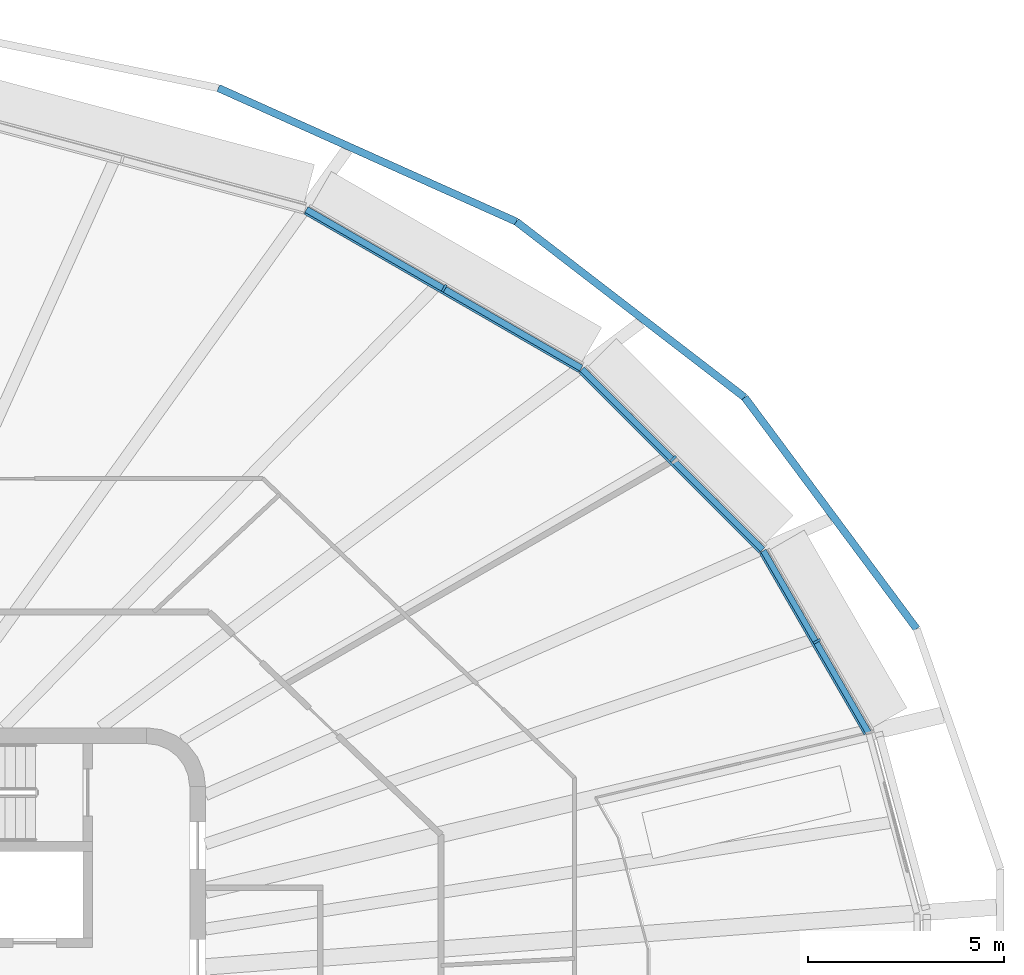
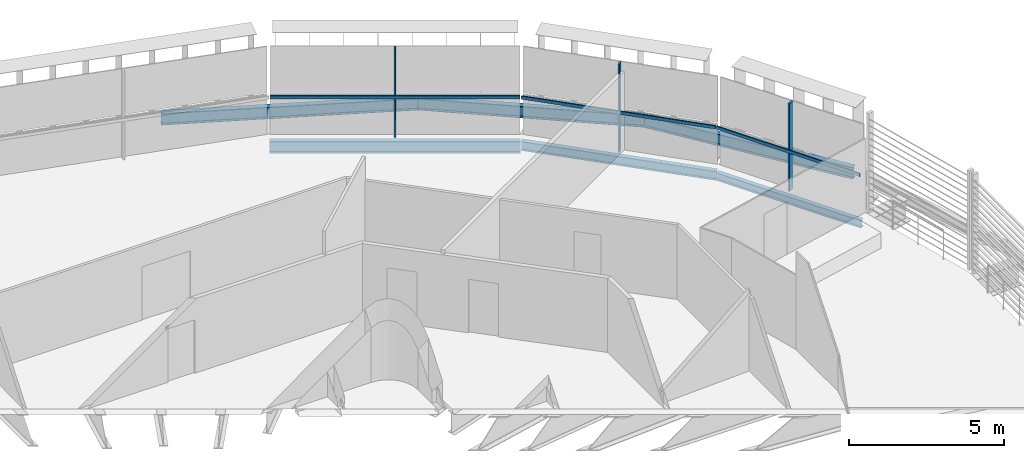
# One storey, part 7 of 21: 6 beams, 6 members, 3 elements without a shape of their own.
"""IFC4 building model written with IfcOpenShell, lengths in metres."""

from ifc_helpers import new_model, si_unit, direction, frame, origin, origin_2d, place, context, subcontext, project, spatial, rectangle, i_section, extrude, material, layer, layer_set, material_profile, profile_set, type_object, element, aggregate, save


model = new_model("IFC4")

# Units and contexts
model_context = context("Model", 3, precision=1e-05, world=origin(), true_north=direction((0.0, 1.0)))
body_context = subcontext(model_context, "Body", "Model", "MODEL_VIEW")
ifc_project = project(units=[si_unit("LENGTHUNIT", "METRE"), si_unit("AREAUNIT", "SQUARE_METRE"), si_unit("VOLUMEUNIT", "CUBIC_METRE"), si_unit("PLANEANGLEUNIT", "RADIAN"), si_unit("MASSUNIT", "GRAM", prefix="KILO")], contexts=[model_context])

# Site, building, storey
site_placement = place(None, origin())
site = spatial("IfcSite", under=ifc_project, at=site_placement, CompositionType="ELEMENT")
building_placement = place(site_placement, origin())
building = spatial("IfcBuilding", under=site, at=building_placement, Name="Sahrelin Media Tower", CompositionType="ELEMENT")
storey_placement = place(building_placement, frame((0.0, 0.0, 259.0)))
storey = spatial("IfcBuildingStorey", under=building, at=storey_placement, Name="L56", CompositionType="ELEMENT", Elevation=259.0)

# Beams
ifc_material_1 = material(Name="Steel S355", Category="steel")
ifc_material_profile_1 = material_profile(ifc_material_1, i_section(OverallWidth=0.1650390625, OverallDepth=0.303466796875, WebThickness=0.006103515625, FlangeThickness=0.01025390625, FilletRadius=0.0087890625, at=origin_2d()), Name="UB 305x165x40")
ifc_profile_set_1 = profile_set([ifc_material_profile_1], Name="Steel S355")
beam_type_1 = type_object("IfcBeamType", Name="Edge beam EB2", PredefinedType="BEAM", material=ifc_profile_set_1)
beam_1_placement = place(storey_placement, frame((26.208984375, 11.508544921875, -0.351806640625), z_axis=(0.500021961316, -0.866012724042, 0.0), x_axis=(0.866012724042, 0.500021961316, 0.0)))
element("IfcBeam", 1, at=beam_1_placement, inside=storey, type_object=beam_type_1, Name="Edge beam L56-23", PredefinedType="BEAM", context=body_context, shape_type="SweptSolid", body=[
    extrude(i_section(OverallWidth=0.1650390625, OverallDepth=0.303466796875, WebThickness=0.006103515625, FlangeThickness=0.01025390625, FilletRadius=0.0087890625, at=origin_2d()), origin(), (0.0, 0.0, 1.0), 5.362548828125),
])
ifc_material_profile_2 = material_profile(ifc_material_1, i_section(OverallWidth=0.17138671875, OverallDepth=0.35498046875, WebThickness=0.00732421875, FlangeThickness=0.011474609375, FilletRadius=0.01025390625, at=origin_2d()), Name="UB 356x171x51")
ifc_profile_set_2 = profile_set([ifc_material_profile_2], Name="Steel S355")
beam_type_2 = type_object("IfcBeamType", Name="Edge beam EB3", PredefinedType="BEAM", material=ifc_profile_set_2)
beam_2_placement = place(storey_placement, frame((21.59130859375, 16.131591796875, -0.327392578125), z_axis=(0.707106781187, -0.707106781187, 0.0), x_axis=(0.707106781187, 0.707106781187, 0.0)))
element("IfcBeam", 2, at=beam_2_placement, inside=storey, type_object=beam_type_2, Name="Edge beam L56-22", PredefinedType="BEAM", context=body_context, shape_type="SweptSolid", body=[
    extrude(i_section(OverallWidth=0.17138671875, OverallDepth=0.35498046875, WebThickness=0.00732421875, FlangeThickness=0.011474609375, FilletRadius=0.01025390625, at=origin_2d()), origin(), (0.0, 0.0, 1.0), 6.505615234375),
])
ifc_material_profile_3 = material_profile(ifc_material_1, i_section(OverallWidth=0.1904296875, OverallDepth=0.45703125, WebThickness=0.009033203125, FlangeThickness=0.014404296875, FilletRadius=0.01025390625, at=origin_2d()), Name="UB 457x191x74")
ifc_profile_set_3 = profile_set([ifc_material_profile_3], Name="Steel S355")
beam_type_3 = type_object("IfcBeamType", Name="Edge beam EB5", PredefinedType="BEAM", material=ifc_profile_set_3)
beam_3_placement = place(storey_placement, frame((14.565673828125, 20.1923828125, -0.37841796875), z_axis=(0.866014130978, -0.500019524566, 0.0), x_axis=(0.500019524566, 0.866014130978, 0.0)))
element("IfcBeam", 3, at=beam_3_placement, inside=storey, type_object=beam_type_3, Name="Edge beam L56-21", PredefinedType="BEAM", context=body_context, shape_type="SweptSolid", body=[
    extrude(i_section(OverallWidth=0.1904296875, OverallDepth=0.45703125, WebThickness=0.009033203125, FlangeThickness=0.014404296875, FilletRadius=0.01025390625, at=origin_2d()), origin(), (0.0, 0.0, 1.0), 8.086181640625),
])

# Curtain wall, member
ifc_material_2 = material(Name="Champagne anodised aluminium 6063-T6", Category="aluminium")
ifc_layer = layer(ifc_material_2, 0.14990234375)
ifc_layer_set = layer_set([ifc_layer], Name="Tower ribbon curtain wall")
curtain_wall_type = type_object("IfcCurtainWallType", Name="Tower ribbon curtain wall", PredefinedType="NOTDEFINED", material=ifc_layer_set)
curtain_wall_1_placement = place(storey_placement, frame((27.679443359375, 9.261474609375, 0.0), z_axis=(0.0, 0.0, 1.0), x_axis=(1.0, 0.0, 0.0)))
curtain_wall_1 = element("IfcCurtainWall", 4, at=curtain_wall_1_placement, inside=storey, type_object=curtain_wall_type, Name="L56:CW:L56-02", PredefinedType="NOTDEFINED")
ifc_material_profile_4 = material_profile(ifc_material_2, rectangle(XDim=0.06005859375, YDim=0.199951171875, at=origin_2d()), Name="Mullion 60x200")
ifc_profile_set_4 = profile_set([ifc_material_profile_4], Name="Champagne anodised aluminium 6063-T6")
member_type_1 = type_object("IfcMemberType", Name="Mullion 60x200 CW1C", PredefinedType="MULLION", material=ifc_profile_set_4)
member_1_placement = place(storey_placement, frame((27.57568359375, 9.201416015625, 0.0), z_axis=(0.0, 0.0, 1.0), x_axis=(-0.500010580459, 0.866019295067, 0.0)))
member_1 = element("IfcMember", 5, at=member_1_placement, type_object=member_type_1, Name="L56:CWM:L56-02", PredefinedType="MULLION", context=body_context, shape_type="SweptSolid", body=[
    extrude(rectangle(XDim=0.06005859375, YDim=0.199951171875, at=origin_2d()), origin(), (0.0, 0.0, 1.0), 3.448486328125),
])

curtain_wall_2_placement = place(storey_placement, frame((23.997314453125, 13.9375, 0.0), z_axis=(0.0, 0.0, 1.0), x_axis=(1.0, 0.0, 0.0)))
curtain_wall_2 = element("IfcCurtainWall", 6, at=curtain_wall_2_placement, inside=storey, type_object=curtain_wall_type, Name="L56:CW:L56-03", PredefinedType="NOTDEFINED")
member_2_placement = place(storey_placement, frame((23.91259765625, 13.852783203125, 0.0), z_axis=(0.0, 0.0, 1.0), x_axis=(-0.707106781187, 0.707106781187, 0.0)))
member_2 = element("IfcMember", 7, at=member_2_placement, type_object=member_type_1, Name="L56:CWM:L56-03", PredefinedType="MULLION", context=body_context, shape_type="SweptSolid", body=[
    extrude(rectangle(XDim=0.06005859375, YDim=0.199951171875, at=origin_2d()), origin(), (0.0, 0.0, 1.0), 3.448486328125),
])

curtain_wall_3_placement = place(storey_placement, frame((18.14208984375, 18.300537109375, 0.0), z_axis=(0.0, 0.0, 1.0), x_axis=(1.0, 0.0, 0.0)))
curtain_wall_3 = element("IfcCurtainWall", 8, at=curtain_wall_3_placement, inside=storey, type_object=curtain_wall_type, Name="L56:CW:L56-04", PredefinedType="NOTDEFINED")
member_3_placement = place(storey_placement, frame((18.08203125, 18.19677734375, 0.0), z_axis=(0.0, 0.0, 1.0), x_axis=(-0.866020167749, 0.500009068969, 0.0)))
member_3 = element("IfcMember", 9, at=member_3_placement, type_object=member_type_1, Name="L56:CWM:L56-04", PredefinedType="MULLION", context=body_context, shape_type="SweptSolid", body=[
    extrude(rectangle(XDim=0.06005859375, YDim=0.199951171875, at=origin_2d()), origin(), (0.0, 0.0, 1.0), 3.448486328125),
])

# Beams
ifc_material_profile_5 = material_profile(ifc_material_1, i_section(OverallWidth=0.1904296875, OverallDepth=0.45703125, WebThickness=0.009033203125, FlangeThickness=0.014404296875, FilletRadius=0.01025390625, at=origin_2d()), Name="UB 457x191x74")
ifc_profile_set_5 = profile_set([ifc_material_profile_5], Name="Steel S355")
beam_type_4 = type_object("IfcBeamType", Name="Tie chord TC5", PredefinedType="BEAM", material=ifc_profile_set_5)
beam_4_placement = place(storey_placement, frame((30.11962890625, 9.519775390625, -0.37841796875), z_axis=(-0.59655461982, 0.802572479949, 0.0), x_axis=(-0.802572479949, -0.59655461982, 0.0)))
element("IfcBeam", 10, at=beam_4_placement, inside=storey, type_object=beam_type_4, Name="Tie chord L56-02", PredefinedType="BEAM", context=body_context, shape_type="SweptSolid", body=[
    extrude(i_section(OverallWidth=0.1904296875, OverallDepth=0.45703125, WebThickness=0.009033203125, FlangeThickness=0.014404296875, FilletRadius=0.01025390625, at=origin_2d()), origin(), (0.0, 0.0, 1.0), 7.34716796875),
])
beam_5_placement = place(storey_placement, frame((25.736572265625, 15.41650390625, -0.37841796875), z_axis=(-0.792449605953, 0.609937391889, 0.0), x_axis=(-0.609937391889, -0.792449605953, 0.0)))
element("IfcBeam", 11, at=beam_5_placement, inside=storey, type_object=beam_type_4, Name="Tie chord L56-03", PredefinedType="BEAM", context=body_context, shape_type="SweptSolid", body=[
    extrude(i_section(OverallWidth=0.1904296875, OverallDepth=0.45703125, WebThickness=0.009033203125, FlangeThickness=0.014404296875, FilletRadius=0.01025390625, at=origin_2d()), origin(), (0.0, 0.0, 1.0), 7.33984375),
])
beam_6_placement = place(storey_placement, frame((19.920166015625, 19.893310546875, -0.37841796875), z_axis=(-0.91245001882, 0.409188175728, 0.0), x_axis=(-0.409188175728, -0.91245001882, 0.0)))
element("IfcBeam", 12, at=beam_6_placement, inside=storey, type_object=beam_type_4, Name="Tie chord L56-04", PredefinedType="BEAM", context=body_context, shape_type="SweptSolid", body=[
    extrude(i_section(OverallWidth=0.1904296875, OverallDepth=0.45703125, WebThickness=0.009033203125, FlangeThickness=0.014404296875, FilletRadius=0.01025390625, at=origin_2d()), origin(), (0.0, 0.0, 1.0), 8.3203125),
])

# Member
ifc_material_profile_6 = material_profile(ifc_material_2, rectangle(XDim=0.050048828125, YDim=0.1201171875, at=origin_2d()), Name="Transom 50x120")
ifc_profile_set_6 = profile_set([ifc_material_profile_6], Name="Champagne anodised aluminium 6063-T6")
member_type_2 = type_object("IfcMemberType", Name="Transom 50x120 CW1C", PredefinedType="USERDEFINED", material=ifc_profile_set_6)
member_4_placement = place(storey_placement, frame((28.80029296875, 6.83056640625, 1.60009765625), z_axis=(-0.500025039717, 0.866010946615, 0.0), x_axis=(-0.866010946615, -0.500025039717, 0.0)))
member_4 = element("IfcMember", 13, at=member_4_placement, type_object=member_type_2, Name="L56:CWT:L56-02", ObjectType="TRANSOM", PredefinedType="USERDEFINED", context=body_context, shape_type="SweptSolid", body=[
    extrude(rectangle(XDim=0.050048828125, YDim=0.1201171875, at=origin_2d()), origin(), (0.0, 0.0, 1.0), 5.331298828125),
])

aggregate(curtain_wall_1, [member_1, member_4])

member_5_placement = place(storey_placement, frame((26.113037109375, 11.475341796875, 1.60009765625), z_axis=(-0.707106781187, 0.707106781187, 0.0), x_axis=(-0.707106781187, -0.707106781187, 0.0)))
member_5 = element("IfcMember", 14, at=member_5_placement, type_object=member_type_2, Name="L56:CWT:L56-03", ObjectType="TRANSOM", PredefinedType="USERDEFINED", context=body_context, shape_type="SweptSolid", body=[
    extrude(rectangle(XDim=0.050048828125, YDim=0.1201171875, at=origin_2d()), origin(), (0.0, 0.0, 1.0), 6.47412109375),
])

aggregate(curtain_wall_2, [member_2, member_5])

member_6_placement = place(storey_placement, frame((21.50732421875, 16.07470703125, 1.60009765625), z_axis=(-0.866026084844, 0.499998820369, 0.0), x_axis=(-0.499998820369, -0.866026084844, 0.0)))
member_6 = element("IfcMember", 15, at=member_6_placement, type_object=member_type_2, Name="L56:CWT:L56-04", ObjectType="TRANSOM", PredefinedType="USERDEFINED", context=body_context, shape_type="SweptSolid", body=[
    extrude(rectangle(XDim=0.050048828125, YDim=0.1201171875, at=origin_2d()), origin(), (0.0, 0.0, 1.0), 8.0546875),
])

aggregate(curtain_wall_3, [member_3, member_6])

save(model, "model.ifc")
